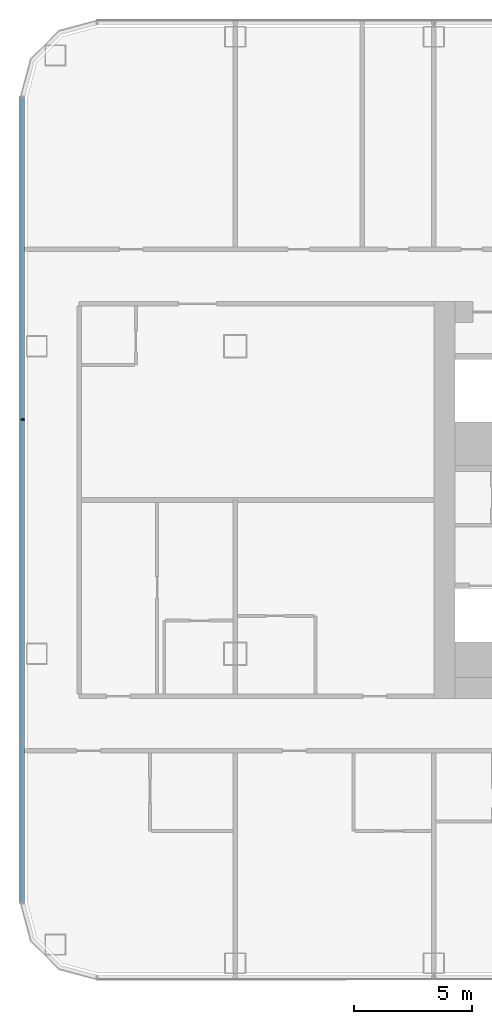
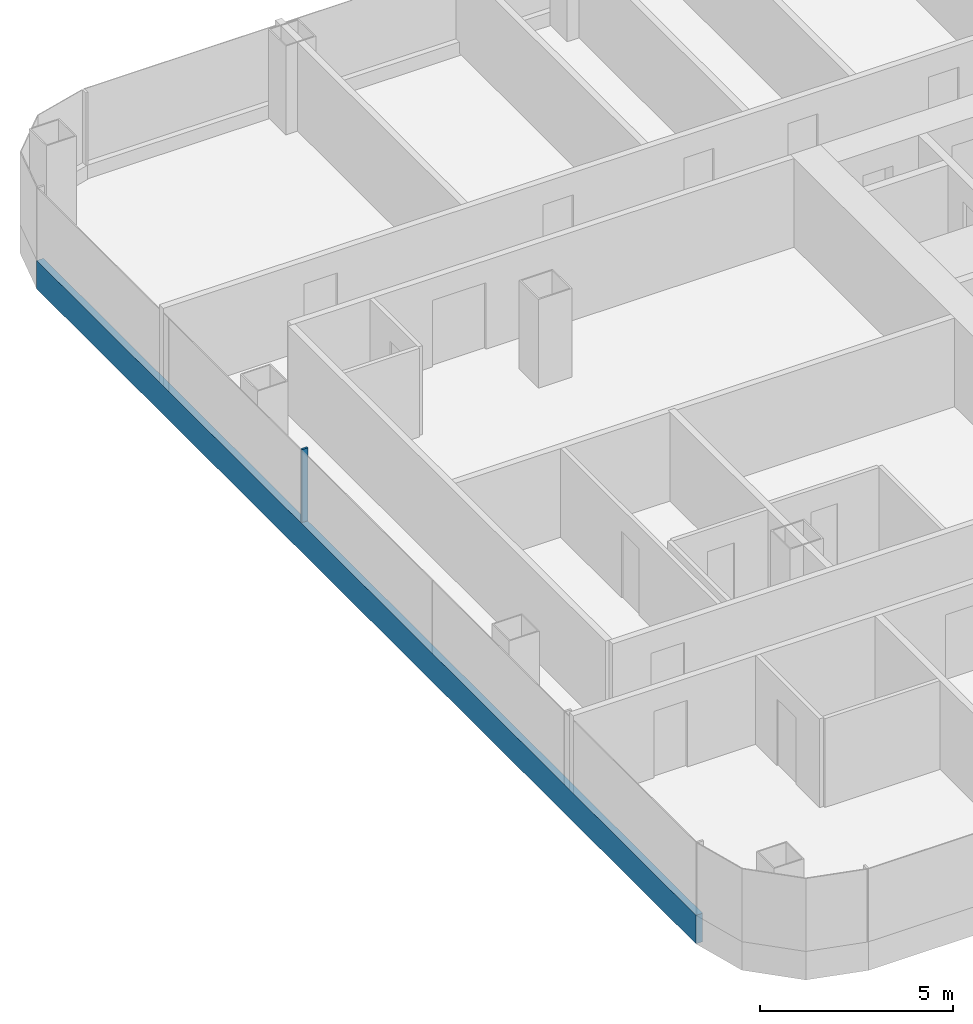
# One storey, part 3 of 29: 2 members, 1 element without a shape of its own.
"""IFC4 building model written with IfcOpenShell, lengths in metres."""

from ifc_helpers import new_model, si_unit, direction, frame, origin, origin_2d, place, context, subcontext, project, spatial, rectangle, extrude, material, layer, layer_set, material_profile, profile_set, type_object, element, aggregate, save


model = new_model("IFC4")

# Units and contexts
model_context = context("Model", 3, precision=1e-05, world=origin(), true_north=direction((0.0, 1.0)))
body_context = subcontext(model_context, "Body", "Model", "MODEL_VIEW")
ifc_project = project(units=[si_unit("LENGTHUNIT", "METRE"), si_unit("AREAUNIT", "SQUARE_METRE"), si_unit("VOLUMEUNIT", "CUBIC_METRE"), si_unit("PLANEANGLEUNIT", "RADIAN"), si_unit("MASSUNIT", "GRAM", prefix="KILO")], contexts=[model_context])

# Site, building, storey
site_placement = place(None, origin())
site = spatial("IfcSite", under=ifc_project, at=site_placement, CompositionType="ELEMENT")
building_placement = place(site_placement, origin())
building = spatial("IfcBuilding", under=site, at=building_placement, Name="Hakoniwa Tower and Hamabe Station Hall", CompositionType="ELEMENT")
storey_placement = place(building_placement, frame((0.0, 0.0, 29.39990234375)))
storey = spatial("IfcBuildingStorey", under=building, at=storey_placement, Name="L07", CompositionType="ELEMENT", Elevation=29.39990234375)

# Curtain wall, members
ifc_material_1 = material(Name="Dark low-e laminated glass", Category="glass")
ifc_layer = layer(ifc_material_1, 0.199951171875)
ifc_layer_set = layer_set([ifc_layer], Name="CW-1 UNITISED GUEST")
curtain_wall_type = type_object("IfcCurtainWallType", Name="CW-1 UNITISED GUEST", PredefinedType="NOTDEFINED", material=ifc_layer_set)
curtain_wall_placement = place(storey_placement, origin())
curtain_wall = element("IfcCurtainWall", 1, at=curtain_wall_placement, inside=storey, type_object=curtain_wall_type, Name="CW-1 curtain wall", PredefinedType="NOTDEFINED")
ifc_material_2 = material(Name="Aluminium 6063-T5 black anodised", Category="aluminium")
ifc_material_profile_1 = material_profile(ifc_material_2, rectangle(XDim=0.199951171875, YDim=0.89990234375, at=origin_2d()), Name="CW SLAB-EDGE BAND 900X200")
ifc_profile_set_1 = profile_set([ifc_material_profile_1], Name="Aluminium 6063-T5 black anodised")
member_type_1 = type_object("IfcMemberType", Name="CW SLAB-EDGE BAND 900X200", PredefinedType="USERDEFINED", material=ifc_profile_set_1)
member_1_placement = place(storey_placement, frame((-51.0, 17.03955078125, -0.099853515625), z_axis=(0.0, -1.0, 0.0), x_axis=(1.0, 0.0, 0.0)))
member_1 = element("IfcMember", 2, at=member_1_placement, type_object=member_type_1, Name="CW-1 transom", ObjectType="TRANSOM", PredefinedType="USERDEFINED", context=body_context, shape_type="SweptSolid", body=[
    extrude(rectangle(XDim=0.199951171875, YDim=0.89990234375, at=origin_2d()), origin(), (0.0, 0.0, 1.0), 34.0791015625),
])
ifc_material_3 = material(Name="Aluminium 6063-T5 black anodised", Category="aluminium")
ifc_material_profile_2 = material_profile(ifc_material_3, rectangle(XDim=0.06005859375, YDim=0.179931640625, at=origin_2d()), Name="CW-1 MULLION 60X180")
ifc_profile_set_2 = profile_set([ifc_material_profile_2], Name="Aluminium 6063-T5 black anodised")
member_type_2 = type_object("IfcMemberType", Name="CW-1 MULLION 60X180", PredefinedType="MULLION", material=ifc_profile_set_2)
member_2_placement = place(storey_placement, frame((-50.98193359375, 3.407958984375, 0.35009765625), z_axis=(0.0, 0.0, 1.0), x_axis=(0.0, -1.0, 0.0)))
member_2 = element("IfcMember", 3, at=member_2_placement, type_object=member_type_2, Name="CW-1 mullion", PredefinedType="MULLION", context=body_context, shape_type="SweptSolid", body=[
    extrude(rectangle(XDim=0.06005859375, YDim=0.179931640625, at=origin_2d()), origin(), (0.0, 0.0, 1.0), 2.300048828125),
])
aggregate(curtain_wall, [member_2, member_1])

save(model, "model.ifc")
